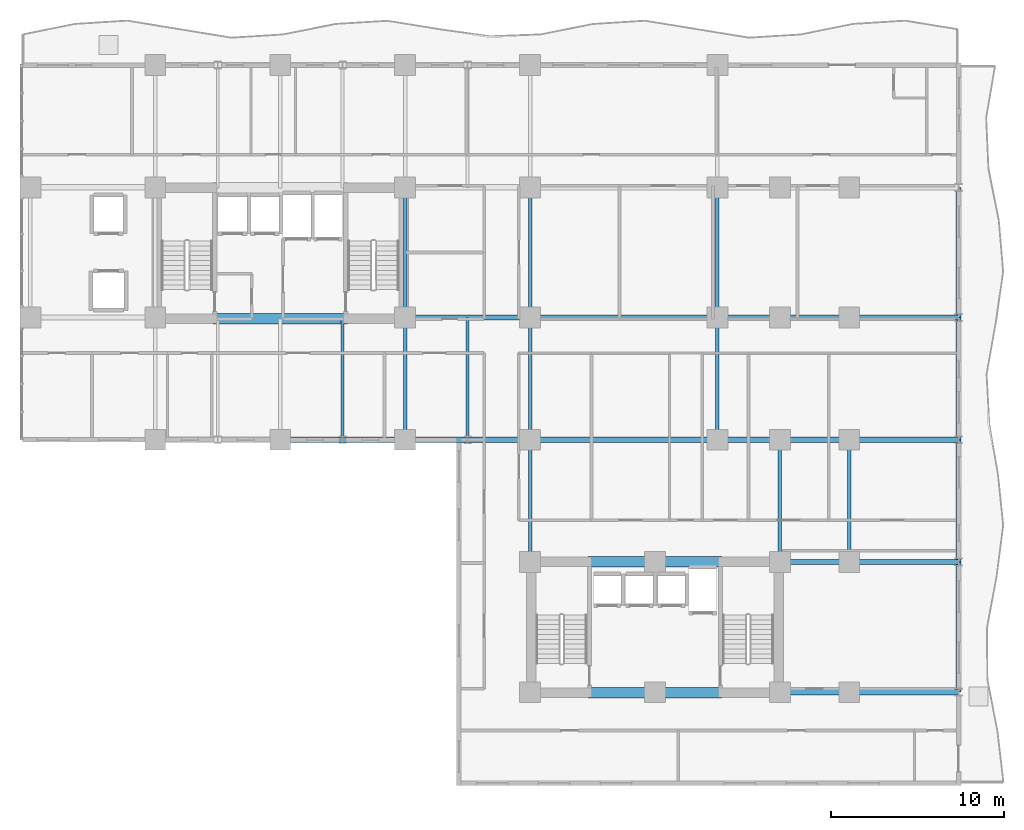
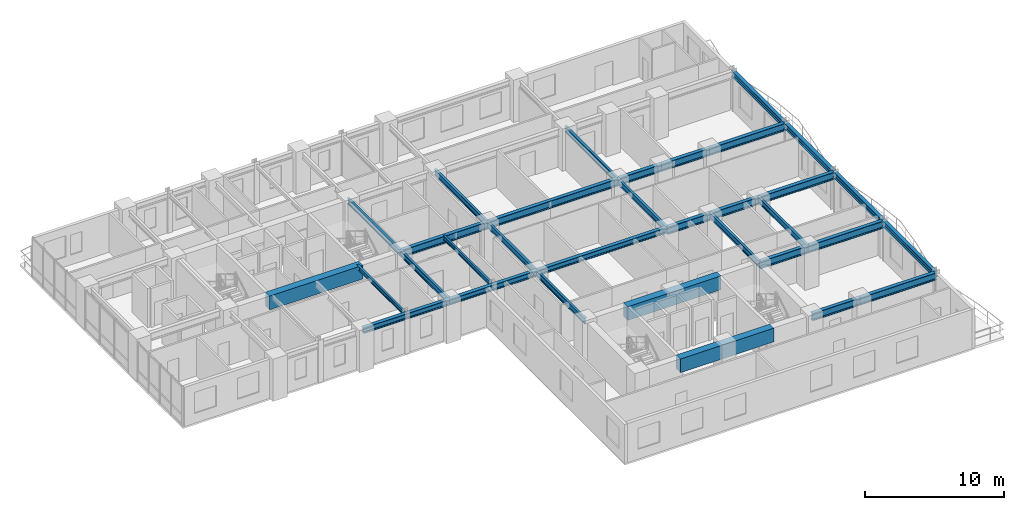
# One storey, part 5 of 18: 35 beams.
"""IFC4 building model written with IfcOpenShell, lengths in metres."""

from ifc_helpers import new_model, si_unit, direction, frame, origin, origin_2d, place, context, subcontext, project, spatial, rectangle, i_section, extrude, source, transform, mapped, material, material_profile, profile_set, type_object, element, save


model = new_model("IFC4")

# Units and contexts
model_context = context("Model", 3, precision=1e-05, world=origin(), true_north=direction((0.0, 1.0)))
body_context = subcontext(model_context, "Body", "Model", "MODEL_VIEW")
ifc_project = project(units=[si_unit("LENGTHUNIT", "METRE"), si_unit("AREAUNIT", "SQUARE_METRE"), si_unit("VOLUMEUNIT", "CUBIC_METRE"), si_unit("PLANEANGLEUNIT", "RADIAN"), si_unit("MASSUNIT", "GRAM", prefix="KILO")], contexts=[model_context])

# Site, building, storey
site_placement = place(None, origin())
site = spatial("IfcSite", under=ifc_project, at=site_placement, CompositionType="ELEMENT")
building_placement = place(site_placement, origin())
building = spatial("IfcBuilding", under=site, at=building_placement, Name="Kaliganga Portal Commons", CompositionType="ELEMENT")
storey_placement = place(building_placement, frame((0.0, 0.0, 93.39990234375)))
storey = spatial("IfcBuildingStorey", under=building, at=storey_placement, Name="L23", CompositionType="ELEMENT", Elevation=93.39990234375)

# Beams
ifc_material_1 = material(Name="Concrete C60/75", Category="concrete")
ifc_material_profile_1 = material_profile(ifc_material_1, rectangle(XDim=0.60009765625, YDim=1.199951171875, at=origin_2d()), Name="RC 600x1200")
ifc_profile_set_1 = profile_set([ifc_material_profile_1], Name="Concrete C60/75")
beam_type_1 = type_object("IfcBeamType", Name="BM-CPL-1200", PredefinedType="LINTEL", material=ifc_profile_set_1)
shared_shape_1 = source(origin(), body_context, "Body", "SweptSolid", [
    extrude(rectangle(XDim=0.60009765625, YDim=1.199951171875, at=origin_2d()), origin(), (0.0, 0.0, 1.0), 7.739990234375),
])
for number, where, z_axis, x_axis, name in (
    (1, (17.72998046875, 28.574951171875, 2.85009765625), (1.0, 0.0, 0.0), (0.0, 1.0, 0.0), "BM CPL COREA L23 S"),
    (2, (39.330078125, 7.02490234375, 2.85009765625), (1.0, 0.0, 0.0), (0.0, 1.0, 0.0), "BM CPL COREB L23 S"),
    (3, (39.330078125, 14.574951171875, 2.85009765625), (1.0, 0.0, 0.0), (0.0, 1.0, 0.0), "BM CPL COREB L23 N"),
):
    element("IfcBeam", number, at=place(storey_placement, frame(where, z_axis=z_axis, x_axis=x_axis)), inside=storey, type_object=beam_type_1, Name=name, PredefinedType="LINTEL", context=body_context, shape_type="MappedRepresentation", body=[
        mapped(shared_shape_1, transform((0.0, 0.0, 0.0), x_axis=(1.0, 0.0, 0.0), y_axis=(0.0, 1.0, 0.0), z_axis=(0.0, 0.0, 1.0), scale=1.0)),
    ])
ifc_material_2 = material(Name="Structural steel S355J2", Category="steel")
ifc_material_profile_2 = material_profile(ifc_material_2, i_section(OverallWidth=0.300048828125, OverallDepth=0.5, WebThickness=0.014404296875, FlangeThickness=0.028076171875, FilletRadius=0.027099609375, at=origin_2d()), Name="HE 500 B")
ifc_profile_set_2 = profile_set([ifc_material_profile_2], Name="Structural steel S355J2 wide-flange")
beam_type_2 = type_object("IfcBeamType", Name="BM-SPAND-500", PredefinedType="SPANDREL", material=ifc_profile_set_2)
shared_shape_2 = source(origin(), body_context, "Body", "SweptSolid", [
    extrude(i_section(OverallWidth=0.300048828125, OverallDepth=0.5, WebThickness=0.014404296875, FlangeThickness=0.028076171875, FilletRadius=0.027099609375, at=origin_2d()), origin(), (0.0, 0.0, 1.0), 10.800048828125),
])
beam_1_placement = place(storey_placement, frame((36.0, 21.60009765625, 3.2001953125), z_axis=(1.0, 0.0, 0.0), x_axis=(0.0, 1.0, 0.0)))
element("IfcBeam", 4, at=beam_1_placement, inside=storey, type_object=beam_type_2, Name="BM SP L23 AS 7", PredefinedType="SPANDREL", context=body_context, shape_type="MappedRepresentation", body=[
    mapped(shared_shape_2, transform((0.0, 0.0, 0.0), x_axis=(1.0, 0.0, 0.0), y_axis=(0.0, 1.0, 0.0), z_axis=(0.0, 0.0, 1.0), scale=1.0)),
])
shared_shape_3 = source(origin(), body_context, "Body", "SweptSolid", [
    extrude(i_section(OverallWidth=0.300048828125, OverallDepth=0.5, WebThickness=0.014404296875, FlangeThickness=0.028076171875, FilletRadius=0.027099609375, at=origin_2d()), origin(), (0.0, 0.0, 1.0), 7.5),
])
for number, where, z_axis, x_axis, name in (
    (5, (60.699951171875, 7.050048828125, 3.2001953125), (0.0, 1.0, 0.0), (-1.0, 0.0, 0.0), "BM SP L23 BE 1"),
    (6, (60.699951171875, 28.64990234375, 3.2001953125), (0.0, 1.0, 0.0), (-1.0, 0.0, 0.0), "BM SP L23 BE 4"),
):
    element("IfcBeam", number, at=place(storey_placement, frame(where, z_axis=z_axis, x_axis=x_axis)), inside=storey, type_object=beam_type_2, Name=name, PredefinedType="SPANDREL", context=body_context, shape_type="MappedRepresentation", body=[
        mapped(shared_shape_3, transform((0.0, 0.0, 0.0), x_axis=(1.0, 0.0, 0.0), y_axis=(0.0, 1.0, 0.0), z_axis=(0.0, 0.0, 1.0), scale=1.0)),
    ])
shared_shape_4 = source(origin(), body_context, "Body", "SweptSolid", [
    extrude(i_section(OverallWidth=0.300048828125, OverallDepth=0.5, WebThickness=0.014404296875, FlangeThickness=0.028076171875, FilletRadius=0.027099609375, at=origin_2d()), origin(), (0.0, 0.0, 1.0), 7.050048828125),
])
beam_2_placement = place(storey_placement, frame((60.699951171875, 14.550048828125, 3.2001953125), z_axis=(0.0, 1.0, 0.0), x_axis=(-1.0, 0.0, 0.0)))
element("IfcBeam", 7, at=beam_2_placement, inside=storey, type_object=beam_type_2, Name="BM SP L23 BE 2", PredefinedType="SPANDREL", context=body_context, shape_type="MappedRepresentation", body=[
    mapped(shared_shape_4, transform((0.0, 0.0, 0.0), x_axis=(1.0, 0.0, 0.0), y_axis=(0.0, 1.0, 0.0), z_axis=(0.0, 0.0, 1.0), scale=1.0)),
])
shared_shape_5 = source(origin(), body_context, "Body", "SweptSolid", [
    extrude(i_section(OverallWidth=0.300048828125, OverallDepth=0.5, WebThickness=0.014404296875, FlangeThickness=0.028076171875, FilletRadius=0.027099609375, at=origin_2d()), origin(), (0.0, 0.0, 1.0), 7.0498046875),
])
beam_3_placement = place(storey_placement, frame((60.699951171875, 21.60009765625, 3.2001953125), z_axis=(0.0, 1.0, 0.0), x_axis=(-1.0, 0.0, 0.0)))
element("IfcBeam", 8, at=beam_3_placement, inside=storey, type_object=beam_type_2, Name="BM SP L23 BE 3", PredefinedType="SPANDREL", context=body_context, shape_type="MappedRepresentation", body=[
    mapped(shared_shape_5, transform((0.0, 0.0, 0.0), x_axis=(1.0, 0.0, 0.0), y_axis=(0.0, 1.0, 0.0), z_axis=(0.0, 0.0, 1.0), scale=1.0)),
])
shared_shape_6 = source(origin(), body_context, "Body", "SweptSolid", [
    extrude(i_section(OverallWidth=0.300048828125, OverallDepth=0.5, WebThickness=0.014404296875, FlangeThickness=0.028076171875, FilletRadius=0.027099609375, at=origin_2d()), origin(), (0.0, 0.0, 1.0), 3.60009765625),
])
for number, where, z_axis, x_axis, name in (
    (9, (25.199951171875, 21.60009765625, 3.2001953125), (1.0, 0.0, 0.0), (0.0, 1.0, 0.0), "BM SP L23 AS 4"),
    (10, (32.39990234375, 21.60009765625, 3.2001953125), (1.0, 0.0, 0.0), (0.0, 1.0, 0.0), "BM SP L23 AS 6"),
):
    element("IfcBeam", number, at=place(storey_placement, frame(where, z_axis=z_axis, x_axis=x_axis)), inside=storey, type_object=beam_type_2, Name=name, PredefinedType="SPANDREL", context=body_context, shape_type="MappedRepresentation", body=[
        mapped(shared_shape_6, transform((0.0, 0.0, 0.0), x_axis=(1.0, 0.0, 0.0), y_axis=(0.0, 1.0, 0.0), z_axis=(0.0, 0.0, 1.0), scale=1.0)),
    ])
shared_shape_7 = source(origin(), body_context, "Body", "SweptSolid", [
    extrude(i_section(OverallWidth=0.300048828125, OverallDepth=0.5, WebThickness=0.014404296875, FlangeThickness=0.028076171875, FilletRadius=0.027099609375, at=origin_2d()), origin(), (0.0, 0.0, 1.0), 3.599853515625),
])
for number, where, z_axis, x_axis, name in (
    (11, (21.60009765625, 21.60009765625, 3.2001953125), (1.0, 0.0, 0.0), (0.0, 1.0, 0.0), "BM SP L23 AS 3"),
    (12, (28.800048828125, 21.60009765625, 3.2001953125), (1.0, 0.0, 0.0), (0.0, 1.0, 0.0), "BM SP L23 AS 5"),
):
    element("IfcBeam", number, at=place(storey_placement, frame(where, z_axis=z_axis, x_axis=x_axis)), inside=storey, type_object=beam_type_2, Name=name, PredefinedType="SPANDREL", context=body_context, shape_type="MappedRepresentation", body=[
        mapped(shared_shape_7, transform((0.0, 0.0, 0.0), x_axis=(1.0, 0.0, 0.0), y_axis=(0.0, 1.0, 0.0), z_axis=(0.0, 0.0, 1.0), scale=1.0)),
    ])
ifc_material_profile_3 = material_profile(ifc_material_2, i_section(OverallWidth=0.300048828125, OverallDepth=0.64990234375, WebThickness=0.01611328125, FlangeThickness=0.031005859375, FilletRadius=0.027099609375, at=origin_2d()), Name="HE 650 B")
ifc_profile_set_3 = profile_set([ifc_material_profile_3], Name="Structural steel S355J2 wide-flange")
beam_type_3 = type_object("IfcBeamType", Name="BM-GIRD-650", PredefinedType="USERDEFINED", material=ifc_profile_set_3)
shared_shape_8 = source(origin(), body_context, "Body", "SweptSolid", [
    extrude(i_section(OverallWidth=0.300048828125, OverallDepth=0.64990234375, WebThickness=0.01611328125, FlangeThickness=0.031005859375, FilletRadius=0.027099609375, at=origin_2d()), origin(), (0.0, 0.0, 1.0), 3.599853515625),
])
for number, where, z_axis, x_axis, name in (
    (13, (46.800048828125, 21.60009765625, 3.125), (1.0, 0.0, 0.0), (0.0, 1.0, 0.0), "BM G L23 BKE216 1"),
    (14, (46.800048828125, 28.64990234375, 3.125), (1.0, 0.0, 0.0), (0.0, 1.0, 0.0), "BM G L23 BKE286 1"),
):
    element("IfcBeam", number, at=place(storey_placement, frame(where, z_axis=z_axis, x_axis=x_axis)), inside=storey, type_object=beam_type_3, Name=name, ObjectType="GIRDER", PredefinedType="USERDEFINED", context=body_context, shape_type="MappedRepresentation", body=[
        mapped(shared_shape_8, transform((0.0, 0.0, 0.0), x_axis=(1.0, 0.0, 0.0), y_axis=(0.0, 1.0, 0.0), z_axis=(0.0, 0.0, 1.0), scale=1.0)),
    ])
shared_shape_9 = source(origin(), body_context, "Body", "SweptSolid", [
    extrude(i_section(OverallWidth=0.300048828125, OverallDepth=0.64990234375, WebThickness=0.01611328125, FlangeThickness=0.031005859375, FilletRadius=0.027099609375, at=origin_2d()), origin(), (0.0, 0.0, 1.0), 7.199951171875),
])
beam_4_placement = place(storey_placement, frame((28.800048828125, 28.64990234375, 3.125), z_axis=(1.0, 0.0, 0.0), x_axis=(0.0, 1.0, 0.0)))
element("IfcBeam", 15, at=beam_4_placement, inside=storey, type_object=beam_type_3, Name="BM G L23 WAE_S 1", ObjectType="GIRDER", PredefinedType="USERDEFINED", context=body_context, shape_type="MappedRepresentation", body=[
    mapped(shared_shape_9, transform((0.0, 0.0, 0.0), x_axis=(1.0, 0.0, 0.0), y_axis=(0.0, 1.0, 0.0), z_axis=(0.0, 0.0, 1.0), scale=1.0)),
])
shared_shape_10 = source(origin(), body_context, "Body", "SweptSolid", [
    extrude(i_section(OverallWidth=0.300048828125, OverallDepth=0.64990234375, WebThickness=0.01611328125, FlangeThickness=0.031005859375, FilletRadius=0.027099609375, at=origin_2d()), origin(), (0.0, 0.0, 1.0), 10.800048828125),
])
beam_5_placement = place(storey_placement, frame((36.0, 28.64990234375, 3.125), z_axis=(1.0, 0.0, 0.0), x_axis=(0.0, 1.0, 0.0)))
element("IfcBeam", 16, at=beam_5_placement, inside=storey, type_object=beam_type_3, Name="BM G L23 WAE_S 2", ObjectType="GIRDER", PredefinedType="USERDEFINED", context=body_context, shape_type="MappedRepresentation", body=[
    mapped(shared_shape_10, transform((0.0, 0.0, 0.0), x_axis=(1.0, 0.0, 0.0), y_axis=(0.0, 1.0, 0.0), z_axis=(0.0, 0.0, 1.0), scale=1.0)),
])
ifc_material_profile_4 = material_profile(ifc_material_2, i_section(OverallWidth=0.169921875, OverallDepth=0.360107421875, WebThickness=0.008056640625, FlangeThickness=0.0126953125, FilletRadius=0.01806640625, at=origin_2d()), Name="IPE 360")
ifc_profile_set_4 = profile_set([ifc_material_profile_4], Name="Structural steel S355J2 wide-flange")
beam_type_4 = type_object("IfcBeamType", Name="BM-JST-360", PredefinedType="JOIST", material=ifc_profile_set_4)
shared_shape_11 = source(origin(), body_context, "Body", "SweptSolid", [
    extrude(i_section(OverallWidth=0.169921875, OverallDepth=0.360107421875, WebThickness=0.008056640625, FlangeThickness=0.0126953125, FilletRadius=0.01806640625, at=origin_2d()), origin(), (0.0, 0.0, 1.0), 6.974853515625),
])
beam_6_placement = place(storey_placement, frame((25.199951171875, 21.60009765625, 3.27001953125), z_axis=(0.0, 1.0, 0.0), x_axis=(-1.0, 0.0, 0.0)))
element("IfcBeam", 17, at=beam_6_placement, inside=storey, type_object=beam_type_4, Name="BM G L23 AS252", PredefinedType="JOIST", context=body_context, shape_type="MappedRepresentation", body=[
    mapped(shared_shape_11, transform((0.0, 0.0, 0.0), x_axis=(1.0, 0.0, 0.0), y_axis=(0.0, 1.0, 0.0), z_axis=(0.0, 0.0, 1.0), scale=1.0)),
])
shared_shape_12 = source(origin(), body_context, "Body", "SweptSolid", [
    extrude(i_section(OverallWidth=0.169921875, OverallDepth=0.360107421875, WebThickness=0.008056640625, FlangeThickness=0.0126953125, FilletRadius=0.01806640625, at=origin_2d()), origin(), (0.0, 0.0, 1.0), 7.0498046875),
])
beam_7_placement = place(storey_placement, frame((32.39990234375, 21.60009765625, 3.27001953125), z_axis=(0.0, 1.0, 0.0), x_axis=(-1.0, 0.0, 0.0)))
element("IfcBeam", 18, at=beam_7_placement, inside=storey, type_object=beam_type_4, Name="BM G L23 AS324", PredefinedType="JOIST", context=body_context, shape_type="MappedRepresentation", body=[
    mapped(shared_shape_12, transform((0.0, 0.0, 0.0), x_axis=(1.0, 0.0, 0.0), y_axis=(0.0, 1.0, 0.0), z_axis=(0.0, 0.0, 1.0), scale=1.0)),
])
shared_shape_13 = source(origin(), body_context, "Body", "SweptSolid", [
    extrude(i_section(OverallWidth=0.300048828125, OverallDepth=0.64990234375, WebThickness=0.01611328125, FlangeThickness=0.031005859375, FilletRadius=0.027099609375, at=origin_2d()), origin(), (0.0, 0.0, 1.0), 4.0),
])
for number, where, z_axis, x_axis, name in (
    (19, (50.39990234375, 7.050048828125, 3.125), (1.0, 0.0, 0.0), (0.0, 1.0, 0.0), "BM G L23 BKE70 1"),
    (20, (50.39990234375, 14.550048828125, 3.125), (1.0, 0.0, 0.0), (0.0, 1.0, 0.0), "BM G L23 BKE146 1"),
    (21, (50.39990234375, 21.60009765625, 3.125), (1.0, 0.0, 0.0), (0.0, 1.0, 0.0), "BM G L23 BKE216 2"),
    (22, (50.39990234375, 28.64990234375, 3.125), (1.0, 0.0, 0.0), (0.0, 1.0, 0.0), "BM G L23 BKE286 2"),
):
    element("IfcBeam", number, at=place(storey_placement, frame(where, z_axis=z_axis, x_axis=x_axis)), inside=storey, type_object=beam_type_3, Name=name, ObjectType="GIRDER", PredefinedType="USERDEFINED", context=body_context, shape_type="MappedRepresentation", body=[
        mapped(shared_shape_13, transform((0.0, 0.0, 0.0), x_axis=(1.0, 0.0, 0.0), y_axis=(0.0, 1.0, 0.0), z_axis=(0.0, 0.0, 1.0), scale=1.0)),
    ])
ifc_material_profile_5 = material_profile(ifc_material_2, i_section(OverallWidth=0.199951171875, OverallDepth=0.5, WebThickness=0.01025390625, FlangeThickness=0.01611328125, FilletRadius=0.02099609375, at=origin_2d()), Name="IPE 500")
ifc_profile_set_5 = profile_set([ifc_material_profile_5], Name="Structural steel S355J2 wide-flange")
beam_type_5 = type_object("IfcBeamType", Name="BM-FLR-500", PredefinedType="BEAM", material=ifc_profile_set_5)
shared_shape_14 = source(origin(), body_context, "Body", "SweptSolid", [
    extrude(i_section(OverallWidth=0.199951171875, OverallDepth=0.5, WebThickness=0.01025390625, FlangeThickness=0.01611328125, FilletRadius=0.02099609375, at=origin_2d()), origin(), (0.0, 0.0, 1.0), 7.5),
])
for number, where, z_axis, x_axis, name in (
    (23, (28.800048828125, 28.64990234375, 3.2001953125), (0.0, 1.0, 0.0), (-1.0, 0.0, 0.0), "BM G L23 AM288"),
    (24, (36.0, 28.64990234375, 3.2001953125), (0.0, 1.0, 0.0), (-1.0, 0.0, 0.0), "BM G L23 AM360"),
    (25, (46.800048828125, 28.64990234375, 3.2001953125), (0.0, 1.0, 0.0), (-1.0, 0.0, 0.0), "BM G L23 AM468"),
):
    element("IfcBeam", number, at=place(storey_placement, frame(where, z_axis=z_axis, x_axis=x_axis)), inside=storey, type_object=beam_type_5, Name=name, PredefinedType="BEAM", context=body_context, shape_type="MappedRepresentation", body=[
        mapped(shared_shape_14, transform((0.0, 0.0, 0.0), x_axis=(1.0, 0.0, 0.0), y_axis=(0.0, 1.0, 0.0), z_axis=(0.0, 0.0, 1.0), scale=1.0)),
    ])
shared_shape_15 = source(origin(), body_context, "Body", "SweptSolid", [
    extrude(i_section(OverallWidth=0.199951171875, OverallDepth=0.5, WebThickness=0.01025390625, FlangeThickness=0.01611328125, FilletRadius=0.02099609375, at=origin_2d()), origin(), (0.0, 0.0, 1.0), 7.050048828125),
])
for number, where, z_axis, x_axis, name in (
    (26, (36.0, 14.550048828125, 3.2001953125), (0.0, 1.0, 0.0), (-1.0, 0.0, 0.0), "BM G L23 BNK360"),
    (27, (50.39990234375, 14.550048828125, 3.2001953125), (0.0, 1.0, 0.0), (-1.0, 0.0, 0.0), "BM G L23 BNK504"),
    (28, (54.39990234375, 14.550048828125, 3.2001953125), (0.0, 1.0, 0.0), (-1.0, 0.0, 0.0), "BM G L23 BNK544"),
):
    element("IfcBeam", number, at=place(storey_placement, frame(where, z_axis=z_axis, x_axis=x_axis)), inside=storey, type_object=beam_type_5, Name=name, PredefinedType="BEAM", context=body_context, shape_type="MappedRepresentation", body=[
        mapped(shared_shape_15, transform((0.0, 0.0, 0.0), x_axis=(1.0, 0.0, 0.0), y_axis=(0.0, 1.0, 0.0), z_axis=(0.0, 0.0, 1.0), scale=1.0)),
    ])
shared_shape_16 = source(origin(), body_context, "Body", "SweptSolid", [
    extrude(i_section(OverallWidth=0.199951171875, OverallDepth=0.5, WebThickness=0.01025390625, FlangeThickness=0.01611328125, FilletRadius=0.02099609375, at=origin_2d()), origin(), (0.0, 0.0, 1.0), 7.0498046875),
])
for number, where, z_axis, x_axis, name in (
    (29, (28.800048828125, 21.60009765625, 3.2001953125), (0.0, 1.0, 0.0), (-1.0, 0.0, 0.0), "BM G L23 AS288"),
    (30, (36.0, 21.60009765625, 3.2001953125), (0.0, 1.0, 0.0), (-1.0, 0.0, 0.0), "BM G L23 AS360"),
    (31, (46.800048828125, 21.60009765625, 3.2001953125), (0.0, 1.0, 0.0), (-1.0, 0.0, 0.0), "BM G L23 AS468"),
):
    element("IfcBeam", number, at=place(storey_placement, frame(where, z_axis=z_axis, x_axis=x_axis)), inside=storey, type_object=beam_type_5, Name=name, PredefinedType="BEAM", context=body_context, shape_type="MappedRepresentation", body=[
        mapped(shared_shape_16, transform((0.0, 0.0, 0.0), x_axis=(1.0, 0.0, 0.0), y_axis=(0.0, 1.0, 0.0), z_axis=(0.0, 0.0, 1.0), scale=1.0)),
    ])
shared_shape_17 = source(origin(), body_context, "Body", "SweptSolid", [
    extrude(i_section(OverallWidth=0.300048828125, OverallDepth=0.64990234375, WebThickness=0.01611328125, FlangeThickness=0.031005859375, FilletRadius=0.027099609375, at=origin_2d()), origin(), (0.0, 0.0, 1.0), 6.300048828125),
])
for number, where, z_axis, x_axis, name in (
    (32, (54.39990234375, 7.050048828125, 3.125), (1.0, 0.0, 0.0), (0.0, 1.0, 0.0), "BM G L23 BKE70 2"),
    (33, (54.39990234375, 14.550048828125, 3.125), (1.0, 0.0, 0.0), (0.0, 1.0, 0.0), "BM G L23 BKE146 2"),
    (34, (54.39990234375, 21.60009765625, 3.125), (1.0, 0.0, 0.0), (0.0, 1.0, 0.0), "BM G L23 BKE216 3"),
    (35, (54.39990234375, 28.64990234375, 3.125), (1.0, 0.0, 0.0), (0.0, 1.0, 0.0), "BM G L23 BKE286 3"),
):
    element("IfcBeam", number, at=place(storey_placement, frame(where, z_axis=z_axis, x_axis=x_axis)), inside=storey, type_object=beam_type_3, Name=name, ObjectType="GIRDER", PredefinedType="USERDEFINED", context=body_context, shape_type="MappedRepresentation", body=[
        mapped(shared_shape_17, transform((0.0, 0.0, 0.0), x_axis=(1.0, 0.0, 0.0), y_axis=(0.0, 1.0, 0.0), z_axis=(0.0, 0.0, 1.0), scale=1.0)),
    ])

save(model, "model.ifc")
